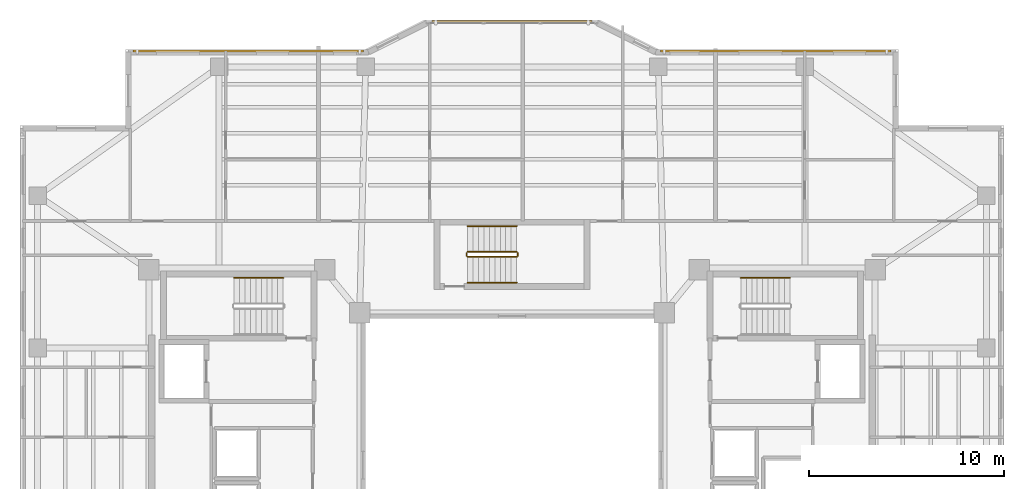
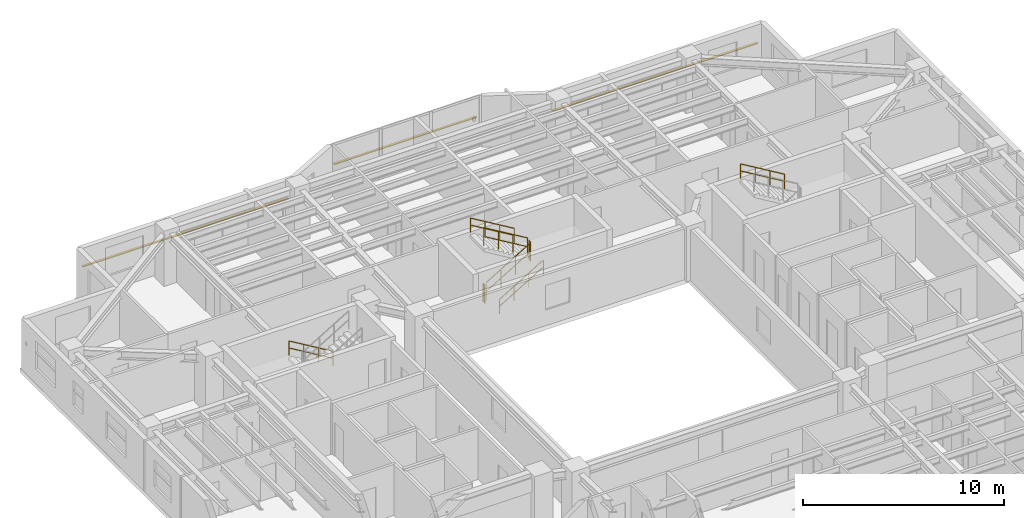
# One storey, part 16 of 16: 8 railings, 3 shading devices.
"""IFC4 building model written with IfcOpenShell, lengths in metres."""

from ifc_helpers import new_model, si_unit, direction, frame, origin, origin_2d, place, context, subcontext, project, spatial, rectangle, circle, extrude, material, material_profile, profile_set, type_object, element, save


model = new_model("IFC4")

# Units and contexts
model_context = context("Model", 3, precision=1e-05, world=origin(), true_north=direction((0.0, 1.0)))
body_context = subcontext(model_context, "Body", "Model", "MODEL_VIEW")
ifc_project = project(units=[si_unit("LENGTHUNIT", "METRE"), si_unit("AREAUNIT", "SQUARE_METRE"), si_unit("VOLUMEUNIT", "CUBIC_METRE"), si_unit("PLANEANGLEUNIT", "RADIAN"), si_unit("MASSUNIT", "GRAM", prefix="KILO")], contexts=[model_context])

# Site, building, storey
site_placement = place(None, origin())
site = spatial("IfcSite", under=ifc_project, at=site_placement, CompositionType="ELEMENT")
building_placement = place(site_placement, origin())
building = spatial("IfcBuilding", under=site, at=building_placement, Name="Tarnavaz Court Tower", CompositionType="ELEMENT")
storey_placement = place(building_placement, frame((0.0, 0.0, 166.10009765625)))
storey = spatial("IfcBuildingStorey", under=building, at=storey_placement, Name="L45", CompositionType="ELEMENT", Elevation=166.10009765625)

# Railings
ifc_material_1 = material(Name="Brushed Stainless Steel", Category="steel")
railing_type_1 = type_object("IfcRailingType", Name="RL-HANDRAIL-900", PredefinedType="HANDRAIL", material=ifc_material_1)
railing_1_placement = place(storey_placement, frame((-11.719970703125, 9.590087890625, 0.16748046875)))
element("IfcRailing", 1, at=railing_1_placement, inside=storey, type_object=railing_type_1, Name="L45 ST-W1 stair handrail 1", PredefinedType="HANDRAIL", context=body_context, shape_type="SweptSolid", body=[
    extrude(circle(Radius=0.02392578125, at=origin_2d()), frame((0.0, 0.0, 0.8759765625), z_axis=(-0.858196387827, 0.0, 0.513321497621), x_axis=(0.0, -1.0, 0.0)), (0.0, 0.0, 1.0), 2.9365234375),
    extrude(circle(Radius=0.02392578125, at=origin_2d()), frame((0.0, 0.0, 0.449951171875), z_axis=(-0.858196387827, 0.0, 0.513321497621), x_axis=(0.0, -1.0, 0.0)), (0.0, 0.0, 1.0), 2.9365234375),
    extrude(circle(Radius=0.02099609375, at=origin_2d()), origin(), (0.0, 0.0, 1.0), 0.851806640625),
    extrude(circle(Radius=0.02099609375, at=origin_2d()), frame((-0.840087890625, 0.0, 0.50244140625)), (0.0, 0.0, 1.0), 0.851806640625),
    extrude(circle(Radius=0.02099609375, at=origin_2d()), frame((-1.679931640625, 0.0, 1.0048828125)), (0.0, 0.0, 1.0), 0.851806640625),
    extrude(circle(Radius=0.02099609375, at=origin_2d()), frame((-2.52001953125, 0.0, 1.50732421875)), (0.0, 0.0, 1.0), 0.851806640625),
])
railing_2_placement = place(storey_placement, frame((14.239990234375, 9.590087890625, 1.84228515625)))
element("IfcRailing", 2, at=railing_2_placement, inside=storey, type_object=railing_type_1, Name="L45 ST-E1 stair handrail 2", PredefinedType="HANDRAIL", context=body_context, shape_type="SweptSolid", body=[
    extrude(circle(Radius=0.02392578125, at=origin_2d()), frame((0.0, 0.0, 0.8759765625), z_axis=(-0.858159760407, 0.0, 0.513382728203), x_axis=(0.0, -1.0, 0.0)), (0.0, 0.0, 1.0), 2.9365234375),
    extrude(circle(Radius=0.02392578125, at=origin_2d()), frame((0.0, 0.0, 0.449951171875), z_axis=(-0.858159760407, 0.0, 0.513382728203), x_axis=(0.0, -1.0, 0.0)), (0.0, 0.0, 1.0), 2.9365234375),
    extrude(circle(Radius=0.02099609375, at=origin_2d()), origin(), (0.0, 0.0, 1.0), 0.851806640625),
    extrude(circle(Radius=0.02099609375, at=origin_2d()), frame((-0.840087890625, 0.0, 0.50244140625)), (0.0, 0.0, 1.0), 0.851806640625),
    extrude(circle(Radius=0.02099609375, at=origin_2d()), frame((-1.679931640625, 0.0, 1.005126953125)), (0.0, 0.0, 1.0), 0.851806640625),
    extrude(circle(Radius=0.02099609375, at=origin_2d()), frame((-2.52001953125, 0.0, 1.507568359375)), (0.0, 0.0, 1.0), 0.851806640625),
])
railing_3_placement = place(storey_placement, frame((-2.280029296875, 9.35009765625, 0.16748046875)))
element("IfcRailing", 3, at=railing_3_placement, inside=storey, type_object=railing_type_1, Name="L45 ST-N1 stair handrail 1", PredefinedType="HANDRAIL", context=body_context, shape_type="SweptSolid", body=[
    extrude(circle(Radius=0.02392578125, at=origin_2d()), frame((0.0, 0.0, 0.8759765625), z_axis=(0.858196387827, 0.0, 0.513321497621), x_axis=(0.0, 1.0, 0.0)), (0.0, 0.0, 1.0), 2.9365234375),
    extrude(circle(Radius=0.02392578125, at=origin_2d()), frame((0.0, 0.0, 0.449951171875), z_axis=(0.858196387827, 0.0, 0.513321497621), x_axis=(0.0, 1.0, 0.0)), (0.0, 0.0, 1.0), 2.9365234375),
    extrude(circle(Radius=0.02099609375, at=origin_2d()), origin(), (0.0, 0.0, 1.0), 0.851806640625),
    extrude(circle(Radius=0.02099609375, at=origin_2d()), frame((0.840087890625, 0.0, 0.50244140625)), (0.0, 0.0, 1.0), 0.851806640625),
    extrude(circle(Radius=0.02099609375, at=origin_2d()), frame((1.679931640625, 0.0, 1.0048828125)), (0.0, 0.0, 1.0), 0.851806640625),
    extrude(circle(Radius=0.02099609375, at=origin_2d()), frame((2.52001953125, 0.0, 1.50732421875)), (0.0, 0.0, 1.0), 0.851806640625),
])
railing_4_placement = place(storey_placement, frame((0.239990234375, 12.239990234375, 1.84228515625)))
element("IfcRailing", 4, at=railing_4_placement, inside=storey, type_object=railing_type_1, Name="L45 ST-N1 stair handrail 2", PredefinedType="HANDRAIL", context=body_context, shape_type="SweptSolid", body=[
    extrude(circle(Radius=0.02392578125, at=origin_2d()), frame((0.0, 0.0, 0.8759765625), z_axis=(-0.858159760407, 0.0, 0.513382728203), x_axis=(0.0, -1.0, 0.0)), (0.0, 0.0, 1.0), 2.9365234375),
    extrude(circle(Radius=0.02392578125, at=origin_2d()), frame((0.0, 0.0, 0.449951171875), z_axis=(-0.858159760407, 0.0, 0.513382728203), x_axis=(0.0, -1.0, 0.0)), (0.0, 0.0, 1.0), 2.9365234375),
    extrude(circle(Radius=0.02099609375, at=origin_2d()), origin(), (0.0, 0.0, 1.0), 0.851806640625),
    extrude(circle(Radius=0.02099609375, at=origin_2d()), frame((-0.840087890625, 0.0, 0.50244140625)), (0.0, 0.0, 1.0), 0.851806640625),
    extrude(circle(Radius=0.02099609375, at=origin_2d()), frame((-1.679931640625, 0.0, 1.005126953125)), (0.0, 0.0, 1.0), 0.851806640625),
    extrude(circle(Radius=0.02099609375, at=origin_2d()), frame((-2.52001953125, 0.0, 1.507568359375)), (0.0, 0.0, 1.0), 0.851806640625),
])
ifc_material_2 = material(Name="Galvanized Painted Tubular Steel", Category="steel")
railing_type_2 = type_object("IfcRailingType", Name="RL-STGUARD-1120", PredefinedType="GUARDRAIL", material=ifc_material_2)
railing_5_placement = place(storey_placement, frame((-2.280029296875, 10.669921875, 0.16748046875)))
element("IfcRailing", 5, at=railing_5_placement, inside=storey, type_object=railing_type_2, Name="L45 ST-N1 stair guard 1", PredefinedType="GUARDRAIL", context=body_context, shape_type="SweptSolid", body=[
    extrude(circle(Radius=0.02392578125, at=origin_2d()), frame((0.0, 0.0, 1.09619140625), z_axis=(0.858196387827, 0.0, 0.513321497621), x_axis=(0.0, 1.0, 0.0)), (0.0, 0.0, 1.0), 2.9365234375),
    extrude(circle(Radius=0.02392578125, at=origin_2d()), frame((0.0, 0.0, 0.56005859375), z_axis=(0.858196387827, 0.0, 0.513321497621), x_axis=(0.0, 1.0, 0.0)), (0.0, 0.0, 1.0), 2.9365234375),
    extrude(circle(Radius=0.02099609375, at=origin_2d()), origin(), (0.0, 0.0, 1.0), 1.072021484375),
    extrude(circle(Radius=0.02099609375, at=origin_2d()), frame((0.840087890625, 0.0, 0.50244140625)), (0.0, 0.0, 1.0), 1.072021484375),
    extrude(circle(Radius=0.02099609375, at=origin_2d()), frame((1.679931640625, 0.0, 1.0048828125)), (0.0, 0.0, 1.0), 1.072021484375),
    extrude(circle(Radius=0.02099609375, at=origin_2d()), frame((2.52001953125, 0.0, 1.50732421875)), (0.0, 0.0, 1.0), 1.072021484375),
])
railing_6_placement = place(storey_placement, frame((0.2900390625, 10.719970703125, 1.6748046875)))
element("IfcRailing", 6, at=railing_6_placement, inside=storey, type_object=railing_type_2, Name="L45 ST-N1 stair guard 2", PredefinedType="GUARDRAIL", context=body_context, shape_type="SweptSolid", body=[
    extrude(circle(Radius=0.02392578125, at=origin_2d()), frame((0.0, 0.0, 1.09619140625), z_axis=(0.0, 1.0, 0.0), x_axis=(-1.0, 0.0, 0.0)), (0.0, 0.0, 1.0), 0.150146484375),
    extrude(circle(Radius=0.02392578125, at=origin_2d()), frame((0.0, 0.0, 0.56005859375), z_axis=(0.0, 1.0, 0.0), x_axis=(-1.0, 0.0, 0.0)), (0.0, 0.0, 1.0), 0.150146484375),
    extrude(circle(Radius=0.02099609375, at=origin_2d()), origin(), (0.0, 0.0, 1.0), 1.072021484375),
    extrude(circle(Radius=0.02099609375, at=origin_2d()), frame((0.0, 0.150146484375, 0.0)), (0.0, 0.0, 1.0), 1.072021484375),
])
railing_7_placement = place(storey_placement, frame((0.239990234375, 10.919921875, 1.84228515625)))
element("IfcRailing", 7, at=railing_7_placement, inside=storey, type_object=railing_type_2, Name="L45 ST-N1 stair guard 3", PredefinedType="GUARDRAIL", context=body_context, shape_type="SweptSolid", body=[
    extrude(circle(Radius=0.02392578125, at=origin_2d()), frame((0.0, 0.0, 1.09619140625), z_axis=(-0.858159760407, 0.0, 0.513382728203), x_axis=(0.0, -1.0, 0.0)), (0.0, 0.0, 1.0), 2.9365234375),
    extrude(circle(Radius=0.02392578125, at=origin_2d()), frame((0.0, 0.0, 0.56005859375), z_axis=(-0.858159760407, 0.0, 0.513382728203), x_axis=(0.0, -1.0, 0.0)), (0.0, 0.0, 1.0), 2.9365234375),
    extrude(circle(Radius=0.02099609375, at=origin_2d()), origin(), (0.0, 0.0, 1.0), 1.072021484375),
    extrude(circle(Radius=0.02099609375, at=origin_2d()), frame((-0.840087890625, 0.0, 0.50244140625)), (0.0, 0.0, 1.0), 1.072021484375),
    extrude(circle(Radius=0.02099609375, at=origin_2d()), frame((-1.679931640625, 0.0, 1.005126953125)), (0.0, 0.0, 1.0), 1.072021484375),
    extrude(circle(Radius=0.02099609375, at=origin_2d()), frame((-2.52001953125, 0.0, 1.507568359375)), (0.0, 0.0, 1.0), 1.072021484375),
])
railing_8_placement = place(storey_placement, frame((-2.330078125, 10.719970703125, 0.0)))
element("IfcRailing", 8, at=railing_8_placement, inside=storey, type_object=railing_type_2, Name="L45 ST-N1 stair guard 4", PredefinedType="GUARDRAIL", context=body_context, shape_type="SweptSolid", body=[
    extrude(circle(Radius=0.02392578125, at=origin_2d()), frame((0.0, 0.0, 1.09619140625), z_axis=(0.0, 1.0, 0.0), x_axis=(-1.0, 0.0, 0.0)), (0.0, 0.0, 1.0), 0.150146484375),
    extrude(circle(Radius=0.02392578125, at=origin_2d()), frame((0.0, 0.0, 0.56005859375), z_axis=(0.0, 1.0, 0.0), x_axis=(-1.0, 0.0, 0.0)), (0.0, 0.0, 1.0), 0.150146484375),
    extrude(circle(Radius=0.02099609375, at=origin_2d()), origin(), (0.0, 0.0, 1.0), 1.072021484375),
    extrude(circle(Radius=0.02099609375, at=origin_2d()), frame((0.0, 0.150146484375, 0.0)), (0.0, 0.0, 1.0), 1.072021484375),
])

# Shading devices
ifc_material_3 = material(Name="Kiln-Fired Khorasan Terracotta Ceramic", Category="masonry")
ifc_material_profile = material_profile(ifc_material_3, rectangle(XDim=0.1201171875, YDim=0.06005859375, at=origin_2d()), Name="TC BAGUETTE 120X60")
ifc_profile_set = profile_set([ifc_material_profile], Name="Kiln-Fired Khorasan Terracotta Ceramic")
shading_device_type = type_object("IfcShadingDeviceType", Name="SD-BAG-120", PredefinedType="USERDEFINED", material=ifc_profile_set)
shading_device_1_placement = place(storey_placement, frame((-19.39990234375, 21.2099609375, 1.849853515625), z_axis=(1.0, 0.0, 0.0), x_axis=(0.0, 1.0, 0.0)))
element("IfcShadingDevice", 9, at=shading_device_1_placement, inside=storey, type_object=shading_device_type, Name="L45 Terracotta Baguette Screen FBG05", ObjectType="BAGUETTE", PredefinedType="USERDEFINED", context=body_context, shape_type="SweptSolid", body=[
    extrude(rectangle(XDim=0.1201171875, YDim=0.06005859375, at=origin_2d()), origin(), (0.0, 0.0, 1.0), 11.7998046875),
])
shading_device_2_placement = place(storey_placement, frame((-4.10009765625, 22.7099609375, 1.7998046875), z_axis=(1.0, 0.0, 0.0), x_axis=(0.0, 1.0, 0.0)))
element("IfcShadingDevice", 10, at=shading_device_2_placement, inside=storey, type_object=shading_device_type, Name="L45 Terracotta Baguette Screen PBG7", ObjectType="BAGUETTE", PredefinedType="USERDEFINED", context=body_context, shape_type="SweptSolid", body=[
    extrude(rectangle(XDim=0.1201171875, YDim=0.06005859375, at=origin_2d()), origin(), (0.0, 0.0, 1.0), 8.2001953125),
])
shading_device_3_placement = place(storey_placement, frame((7.60009765625, 21.2099609375, 1.849853515625), z_axis=(1.0, 0.0, 0.0), x_axis=(0.0, 1.0, 0.0)))
element("IfcShadingDevice", 11, at=shading_device_3_placement, inside=storey, type_object=shading_device_type, Name="L45 Terracotta Baguette Screen FBG09", ObjectType="BAGUETTE", PredefinedType="USERDEFINED", context=body_context, shape_type="SweptSolid", body=[
    extrude(rectangle(XDim=0.1201171875, YDim=0.06005859375, at=origin_2d()), origin(), (0.0, 0.0, 1.0), 11.7998046875),
])

save(model, "model.ifc")
